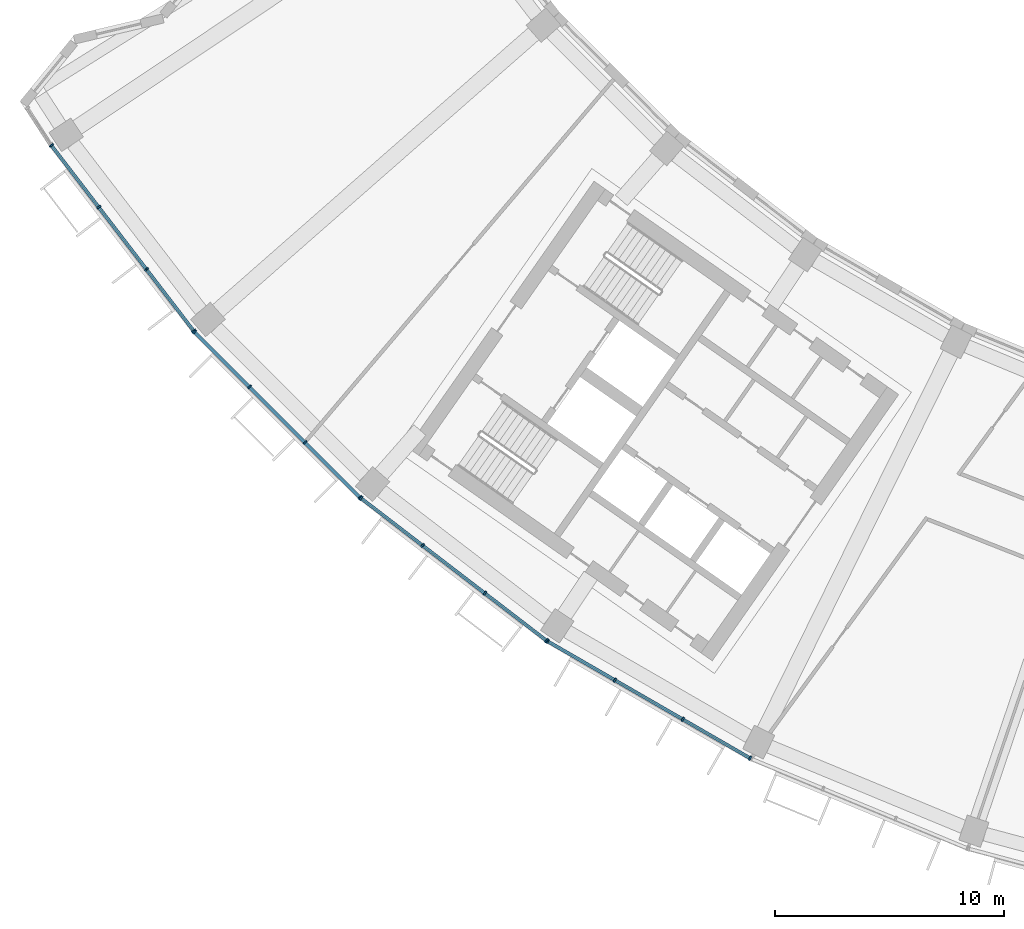
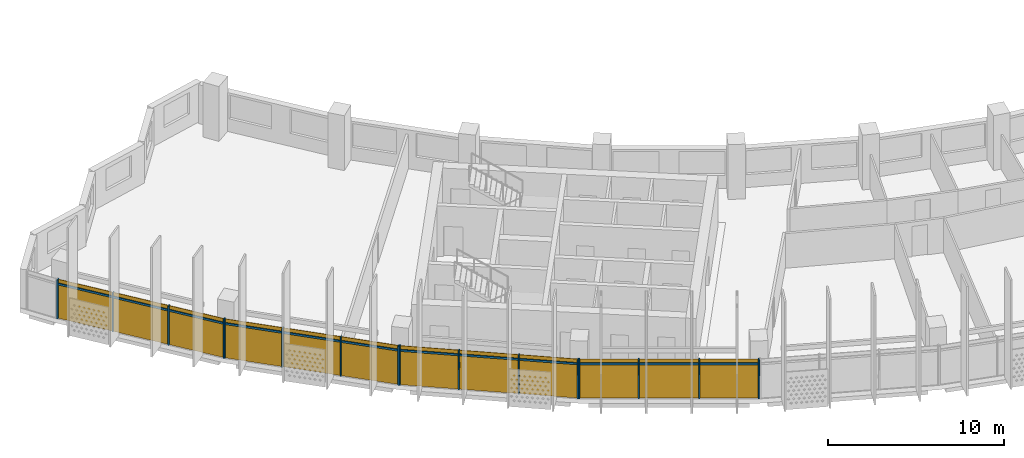
# One storey, part 18 of 28: 28 members, 4 curtain walls.
"""IFC4 building model written with IfcOpenShell, lengths in metres."""

from ifc_helpers import new_model, si_unit, direction, frame, origin, origin_2d, place, context, subcontext, project, spatial, rectangle, extrude, material, material_profile, profile_set, type_object, element, aggregate, save


model = new_model("IFC4")

# Units and contexts
model_context = context("Model", 3, precision=1e-05, world=origin(), true_north=direction((0.0, 1.0)))
body_context = subcontext(model_context, "Body", "Model", "MODEL_VIEW")
ifc_project = project(units=[si_unit("LENGTHUNIT", "METRE"), si_unit("AREAUNIT", "SQUARE_METRE"), si_unit("VOLUMEUNIT", "CUBIC_METRE"), si_unit("PLANEANGLEUNIT", "RADIAN"), si_unit("MASSUNIT", "GRAM", prefix="KILO")], contexts=[model_context])

# Member
ifc_material = material(Name="Aluminium 6063-T6 anodised", Category="aluminium")
ifc_material_profile_1 = material_profile(ifc_material, rectangle(XDim=0.199951171875, YDim=0.070068359375, at=origin_2d()))
ifc_profile_set_1 = profile_set([ifc_material_profile_1], Name="Aluminium 6063-T6 anodised")
member_type_1 = type_object("IfcMemberType", Name="Mullion 70 x 200 aluminium", PredefinedType="MULLION", material=ifc_profile_set_1)
site_placement = place(None, origin())
building_placement = place(site_placement, origin())
storey_placement = place(building_placement, frame((0.0, 0.0, 218.89990234375)))
member_1_placement = place(storey_placement, frame((-65.29443359375, -43.66259765625, 0.0), z_axis=(0.0, 0.0, 1.0), x_axis=(0.793353340291, 0.608761429009, 0.0)))
member_1 = element("IfcMember", 1, at=member_1_placement, type_object=member_type_1, Name="e-cw1-L52-out01/M00", PredefinedType="MULLION", context=body_context, shape_type="SweptSolid", body=[
    extrude(rectangle(XDim=0.199951171875, YDim=0.070068359375, at=origin_2d()), origin(), (0.0, 0.0, 1.0), 2.7001953125),
])

member_2_placement = place(storey_placement, frame((-63.22802734375, -46.35546875, 0.0), z_axis=(0.0, 0.0, 1.0), x_axis=(0.793353340291, 0.608761429009, 0.0)))
member_2 = element("IfcMember", 2, at=member_2_placement, type_object=member_type_1, Name="e-cw1-L52-out01/M01", PredefinedType="MULLION", context=body_context, shape_type="SweptSolid", body=[
    extrude(rectangle(XDim=0.199951171875, YDim=0.070068359375, at=origin_2d()), origin(), (0.0, 0.0, 1.0), 2.7001953125),
])

member_3_placement = place(storey_placement, frame((-61.140380859375, -49.075927734375, 0.0), z_axis=(0.0, 0.0, 1.0), x_axis=(0.793353340291, 0.608761429009, 0.0)))
member_3 = element("IfcMember", 3, at=member_3_placement, type_object=member_type_1, Name="e-cw1-L52-out01/M02", PredefinedType="MULLION", context=body_context, shape_type="SweptSolid", body=[
    extrude(rectangle(XDim=0.199951171875, YDim=0.070068359375, at=origin_2d()), origin(), (0.0, 0.0, 1.0), 2.7001953125),
])

member_4_placement = place(storey_placement, frame((-59.07421875, -51.768798828125, 0.0), z_axis=(0.0, 0.0, 1.0), x_axis=(0.793353340291, 0.608761429009, 0.0)))
member_4 = element("IfcMember", 4, at=member_4_placement, type_object=member_type_1, Name="e-cw1-L52-out01/M03", PredefinedType="MULLION", context=body_context, shape_type="SweptSolid", body=[
    extrude(rectangle(XDim=0.199951171875, YDim=0.070068359375, at=origin_2d()), origin(), (0.0, 0.0, 1.0), 2.7001953125),
])

member_5_placement = place(storey_placement, frame((-59.03662109375, -51.8115234375, 0.0), z_axis=(0.0, 0.0, 1.0), x_axis=(0.707106781187, 0.707106781187, 0.0)))
member_5 = element("IfcMember", 5, at=member_5_placement, type_object=member_type_1, Name="e-cw1-L52-out02/M00", PredefinedType="MULLION", context=body_context, shape_type="SweptSolid", body=[
    extrude(rectangle(XDim=0.199951171875, YDim=0.070068359375, at=origin_2d()), origin(), (0.0, 0.0, 1.0), 2.7001953125),
])

member_6_placement = place(storey_placement, frame((-56.63671875, -54.211669921875, 0.0), z_axis=(0.0, 0.0, 1.0), x_axis=(0.707106781187, 0.707106781187, 0.0)))
member_6 = element("IfcMember", 6, at=member_6_placement, type_object=member_type_1, Name="e-cw1-L52-out02/M01", PredefinedType="MULLION", context=body_context, shape_type="SweptSolid", body=[
    extrude(rectangle(XDim=0.199951171875, YDim=0.070068359375, at=origin_2d()), origin(), (0.0, 0.0, 1.0), 2.7001953125),
])

member_7_placement = place(storey_placement, frame((-54.211669921875, -56.63671875, 0.0), z_axis=(0.0, 0.0, 1.0), x_axis=(0.707106781187, 0.707106781187, 0.0)))
member_7 = element("IfcMember", 7, at=member_7_placement, type_object=member_type_1, Name="e-cw1-L52-out02/M02", PredefinedType="MULLION", context=body_context, shape_type="SweptSolid", body=[
    extrude(rectangle(XDim=0.199951171875, YDim=0.070068359375, at=origin_2d()), origin(), (0.0, 0.0, 1.0), 2.7001953125),
])

member_8_placement = place(storey_placement, frame((-51.8115234375, -59.03662109375, 0.0), z_axis=(0.0, 0.0, 1.0), x_axis=(0.707106781187, 0.707106781187, 0.0)))
member_8 = element("IfcMember", 8, at=member_8_placement, type_object=member_type_1, Name="e-cw1-L52-out02/M03", PredefinedType="MULLION", context=body_context, shape_type="SweptSolid", body=[
    extrude(rectangle(XDim=0.199951171875, YDim=0.070068359375, at=origin_2d()), origin(), (0.0, 0.0, 1.0), 2.7001953125),
])

member_9_placement = place(storey_placement, frame((-51.768798828125, -59.07421875, 0.0), z_axis=(0.0, 0.0, 1.0), x_axis=(0.608761429009, 0.793353340291, 0.0)))
member_9 = element("IfcMember", 9, at=member_9_placement, type_object=member_type_1, Name="e-cw1-L52-out03/M00", PredefinedType="MULLION", context=body_context, shape_type="SweptSolid", body=[
    extrude(rectangle(XDim=0.199951171875, YDim=0.070068359375, at=origin_2d()), origin(), (0.0, 0.0, 1.0), 2.7001953125),
])

member_10_placement = place(storey_placement, frame((-49.075927734375, -61.140380859375, 0.0), z_axis=(0.0, 0.0, 1.0), x_axis=(0.608761429009, 0.793353340291, 0.0)))
member_10 = element("IfcMember", 10, at=member_10_placement, type_object=member_type_1, Name="e-cw1-L52-out03/M01", PredefinedType="MULLION", context=body_context, shape_type="SweptSolid", body=[
    extrude(rectangle(XDim=0.199951171875, YDim=0.070068359375, at=origin_2d()), origin(), (0.0, 0.0, 1.0), 2.7001953125),
])

member_11_placement = place(storey_placement, frame((-46.35546875, -63.22802734375, 0.0), z_axis=(0.0, 0.0, 1.0), x_axis=(0.608761429009, 0.793353340291, 0.0)))
member_11 = element("IfcMember", 11, at=member_11_placement, type_object=member_type_1, Name="e-cw1-L52-out03/M02", PredefinedType="MULLION", context=body_context, shape_type="SweptSolid", body=[
    extrude(rectangle(XDim=0.199951171875, YDim=0.070068359375, at=origin_2d()), origin(), (0.0, 0.0, 1.0), 2.7001953125),
])

member_12_placement = place(storey_placement, frame((-43.66259765625, -65.29443359375, 0.0), z_axis=(0.0, 0.0, 1.0), x_axis=(0.608761429009, 0.793353340291, 0.0)))
member_12 = element("IfcMember", 12, at=member_12_placement, type_object=member_type_1, Name="e-cw1-L52-out03/M03", PredefinedType="MULLION", context=body_context, shape_type="SweptSolid", body=[
    extrude(rectangle(XDim=0.199951171875, YDim=0.070068359375, at=origin_2d()), origin(), (0.0, 0.0, 1.0), 2.7001953125),
])

member_13_placement = place(storey_placement, frame((-43.615234375, -65.325927734375, 0.0), z_axis=(0.0, 0.0, 1.0), x_axis=(0.5, 0.866025403784, 0.0)))
member_13 = element("IfcMember", 13, at=member_13_placement, type_object=member_type_1, Name="e-cw1-L52-out04/M00", PredefinedType="MULLION", context=body_context, shape_type="SweptSolid", body=[
    extrude(rectangle(XDim=0.199951171875, YDim=0.070068359375, at=origin_2d()), origin(), (0.0, 0.0, 1.0), 2.7001953125),
])

member_14_placement = place(storey_placement, frame((-40.67578125, -67.023193359375, 0.0), z_axis=(0.0, 0.0, 1.0), x_axis=(0.5, 0.866025403784, 0.0)))
member_14 = element("IfcMember", 14, at=member_14_placement, type_object=member_type_1, Name="e-cw1-L52-out04/M01", PredefinedType="MULLION", context=body_context, shape_type="SweptSolid", body=[
    extrude(rectangle(XDim=0.199951171875, YDim=0.070068359375, at=origin_2d()), origin(), (0.0, 0.0, 1.0), 2.7001953125),
])

member_15_placement = place(storey_placement, frame((-37.705810546875, -68.73779296875, 0.0), z_axis=(0.0, 0.0, 1.0), x_axis=(0.5, 0.866025403784, 0.0)))
member_15 = element("IfcMember", 15, at=member_15_placement, type_object=member_type_1, Name="e-cw1-L52-out04/M02", PredefinedType="MULLION", context=body_context, shape_type="SweptSolid", body=[
    extrude(rectangle(XDim=0.199951171875, YDim=0.070068359375, at=origin_2d()), origin(), (0.0, 0.0, 1.0), 2.7001953125),
])

member_16_placement = place(storey_placement, frame((-34.766357421875, -70.43505859375, 0.0), z_axis=(0.0, 0.0, 1.0), x_axis=(0.5, 0.866025403784, 0.0)))
member_16 = element("IfcMember", 16, at=member_16_placement, type_object=member_type_1, Name="e-cw1-L52-out04/M03", PredefinedType="MULLION", context=body_context, shape_type="SweptSolid", body=[
    extrude(rectangle(XDim=0.199951171875, YDim=0.070068359375, at=origin_2d()), origin(), (0.0, 0.0, 1.0), 2.7001953125),
])

ifc_material_profile_2 = material_profile(ifc_material, rectangle(XDim=0.139892578125, YDim=0.1201171875, at=origin_2d()))
ifc_profile_set_2 = profile_set([ifc_material_profile_2], Name="Aluminium 6063-T6 anodised")
member_type_2 = type_object("IfcMemberType", Name="Transom 120 x 140 aluminium", PredefinedType="USERDEFINED", material=ifc_profile_set_2)
member_17_placement = place(storey_placement, frame((-65.273193359375, -43.690185546875, 2.400146484375), z_axis=(0.608741393132, -0.793368713958, 0.0), x_axis=(0.793368713958, 0.608741393132, 0.0)))
member_17 = element("IfcMember", 17, at=member_17_placement, type_object=member_type_2, Name="e-cw1-L52-out01/T00", ObjectType="TRANSOM", PredefinedType="USERDEFINED", context=body_context, shape_type="SweptSolid", body=[
    extrude(rectangle(XDim=0.139892578125, YDim=0.1201171875, at=origin_2d()), origin(), (0.0, 0.0, 1.0), 3.324462890625),
])

member_18_placement = place(storey_placement, frame((-63.206787109375, -46.383056640625, 2.400146484375), z_axis=(0.608719861247, -0.793385234627, 0.0), x_axis=(0.793385234627, 0.608719861247, 0.0)))
member_18 = element("IfcMember", 18, at=member_18_placement, type_object=member_type_2, Name="e-cw1-L52-out01/T01", ObjectType="TRANSOM", PredefinedType="USERDEFINED", context=body_context, shape_type="SweptSolid", body=[
    extrude(rectangle(XDim=0.139892578125, YDim=0.1201171875, at=origin_2d()), origin(), (0.0, 0.0, 1.0), 3.359375),
])

member_19_placement = place(storey_placement, frame((-61.119140625, -49.103759765625, 2.400146484375), z_axis=(0.608741393132, -0.793368713958, 0.0), x_axis=(0.793368713958, 0.608741393132, 0.0)))
member_19 = element("IfcMember", 19, at=member_19_placement, type_object=member_type_2, Name="e-cw1-L52-out01/T02", ObjectType="TRANSOM", PredefinedType="USERDEFINED", context=body_context, shape_type="SweptSolid", body=[
    extrude(rectangle(XDim=0.139892578125, YDim=0.1201171875, at=origin_2d()), origin(), (0.0, 0.0, 1.0), 3.324462890625),
])

member_20_placement = place(storey_placement, frame((-59.011962890625, -51.83642578125, 2.400146484375), z_axis=(0.707106781187, -0.707106781187, 0.0), x_axis=(0.707106781187, 0.707106781187, 0.0)))
member_20 = element("IfcMember", 20, at=member_20_placement, type_object=member_type_2, Name="e-cw1-L52-out02/T00", ObjectType="TRANSOM", PredefinedType="USERDEFINED", context=body_context, shape_type="SweptSolid", body=[
    extrude(rectangle(XDim=0.139892578125, YDim=0.1201171875, at=origin_2d()), origin(), (0.0, 0.0, 1.0), 3.32421875),
])

member_21_placement = place(storey_placement, frame((-56.61181640625, -54.236572265625, 2.400146484375), z_axis=(0.707106781187, -0.707106781187, 0.0), x_axis=(0.707106781187, 0.707106781187, 0.0)))
member_21 = element("IfcMember", 21, at=member_21_placement, type_object=member_type_2, Name="e-cw1-L52-out02/T01", ObjectType="TRANSOM", PredefinedType="USERDEFINED", context=body_context, shape_type="SweptSolid", body=[
    extrude(rectangle(XDim=0.139892578125, YDim=0.1201171875, at=origin_2d()), origin(), (0.0, 0.0, 1.0), 3.359130859375),
])

member_22_placement = place(storey_placement, frame((-54.18701171875, -56.661376953125, 2.400146484375), z_axis=(0.707106781187, -0.707106781187, 0.0), x_axis=(0.707106781187, 0.707106781187, 0.0)))
member_22 = element("IfcMember", 22, at=member_22_placement, type_object=member_type_2, Name="e-cw1-L52-out02/T02", ObjectType="TRANSOM", PredefinedType="USERDEFINED", context=body_context, shape_type="SweptSolid", body=[
    extrude(rectangle(XDim=0.139892578125, YDim=0.1201171875, at=origin_2d()), origin(), (0.0, 0.0, 1.0), 3.32421875),
])

member_23_placement = place(storey_placement, frame((-51.7412109375, -59.095458984375, 2.400146484375), z_axis=(0.793368713958, -0.608741393132, 0.0), x_axis=(0.608741393132, 0.793368713958, 0.0)))
member_23 = element("IfcMember", 23, at=member_23_placement, type_object=member_type_2, Name="e-cw1-L52-out03/T00", ObjectType="TRANSOM", PredefinedType="USERDEFINED", context=body_context, shape_type="SweptSolid", body=[
    extrude(rectangle(XDim=0.139892578125, YDim=0.1201171875, at=origin_2d()), origin(), (0.0, 0.0, 1.0), 3.324462890625),
])

member_24_placement = place(storey_placement, frame((-49.04833984375, -61.161865234375, 2.400146484375), z_axis=(0.793385234627, -0.608719861247, 0.0), x_axis=(0.608719861247, 0.793385234627, 0.0)))
member_24 = element("IfcMember", 24, at=member_24_placement, type_object=member_type_2, Name="e-cw1-L52-out03/T01", ObjectType="TRANSOM", PredefinedType="USERDEFINED", context=body_context, shape_type="SweptSolid", body=[
    extrude(rectangle(XDim=0.139892578125, YDim=0.1201171875, at=origin_2d()), origin(), (0.0, 0.0, 1.0), 3.359375),
])

member_25_placement = place(storey_placement, frame((-46.32763671875, -63.24951171875, 2.400146484375), z_axis=(0.793368713958, -0.608741393132, 0.0), x_axis=(0.608741393132, 0.793368713958, 0.0)))
member_25 = element("IfcMember", 25, at=member_25_placement, type_object=member_type_2, Name="e-cw1-L52-out03/T02", ObjectType="TRANSOM", PredefinedType="USERDEFINED", context=body_context, shape_type="SweptSolid", body=[
    extrude(rectangle(XDim=0.139892578125, YDim=0.1201171875, at=origin_2d()), origin(), (0.0, 0.0, 1.0), 3.324462890625),
])

member_26_placement = place(storey_placement, frame((-43.5849609375, -65.343505859375, 2.400146484375), z_axis=(0.866029041019, -0.499993700073, 0.0), x_axis=(0.499993700073, 0.866029041019, 0.0)))
member_26 = element("IfcMember", 26, at=member_26_placement, type_object=member_type_2, Name="e-cw1-L52-out04/T00", ObjectType="TRANSOM", PredefinedType="USERDEFINED", context=body_context, shape_type="SweptSolid", body=[
    extrude(rectangle(XDim=0.139892578125, YDim=0.1201171875, at=origin_2d()), origin(), (0.0, 0.0, 1.0), 3.32421875),
])

member_27_placement = place(storey_placement, frame((-40.6455078125, -67.04052734375, 2.400146484375), z_axis=(0.866034314054, -0.499984566643, 0.0), x_axis=(0.499984566643, 0.866034314054, 0.0)))
member_27 = element("IfcMember", 27, at=member_27_placement, type_object=member_type_2, Name="e-cw1-L52-out04/T01", ObjectType="TRANSOM", PredefinedType="USERDEFINED", context=body_context, shape_type="SweptSolid", body=[
    extrude(rectangle(XDim=0.139892578125, YDim=0.1201171875, at=origin_2d()), origin(), (0.0, 0.0, 1.0), 3.359375),
])

member_28_placement = place(storey_placement, frame((-37.675537109375, -68.75537109375, 2.400146484375), z_axis=(0.866029041019, -0.499993700073, 0.0), x_axis=(0.499993700073, 0.866029041019, 0.0)))
member_28 = element("IfcMember", 28, at=member_28_placement, type_object=member_type_2, Name="e-cw1-L52-out04/T02", ObjectType="TRANSOM", PredefinedType="USERDEFINED", context=body_context, shape_type="SweptSolid", body=[
    extrude(rectangle(XDim=0.139892578125, YDim=0.1201171875, at=origin_2d()), origin(), (0.0, 0.0, 1.0), 3.32421875),
])

# Site, building, storey
site = spatial("IfcSite", under=ifc_project, at=site_placement, CompositionType="ELEMENT")
building = spatial("IfcBuilding", under=site, at=building_placement, Name="Qamariyya Broadcast Tower", CompositionType="ELEMENT")
storey = spatial("IfcBuildingStorey", under=building, at=storey_placement, Name="L52", CompositionType="ELEMENT", Elevation=218.89990234375)

# Curtain wall
curtain_wall_type = type_object("IfcCurtainWallType", Name="Unitised curtain wall, anodised aluminium", PredefinedType="NOTDEFINED", material=ifc_material)
curtain_wall_1_placement = place(storey_placement, origin())
curtain_wall_1 = element("IfcCurtainWall", 29, at=curtain_wall_1_placement, inside=storey, type_object=curtain_wall_type, Name="e-cw1-L52-out01", PredefinedType="NOTDEFINED", context=body_context, shape_type="SweptSolid", body=[
    extrude(rectangle(XDim=3.32421875, YDim=0.031982421875, at=origin_2d()), frame((-64.26123046875, -45.009033203125, 0.0), x_axis=(0.608753833159, -0.793359168734, 0.0)), (0.0, 0.0, 1.0), 2.340087890625),
    extrude(rectangle(XDim=3.32421875, YDim=0.031982421875, at=origin_2d()), frame((-64.26123046875, -45.009033203125, 2.460205078125), x_axis=(0.608753833159, -0.793359168734, 0.0)), (0.0, 0.0, 1.0), 0.239990234375),
    extrude(rectangle(XDim=3.359130859375, YDim=0.031982421875, at=origin_2d()), frame((-62.184326171875, -47.7158203125, 0.0), x_axis=(0.608753833159, -0.793359168734, 0.0)), (0.0, 0.0, 1.0), 2.340087890625),
    extrude(rectangle(XDim=3.359130859375, YDim=0.031982421875, at=origin_2d()), frame((-62.184326171875, -47.7158203125, 2.460205078125), x_axis=(0.608753833159, -0.793359168734, 0.0)), (0.0, 0.0, 1.0), 0.239990234375),
    extrude(rectangle(XDim=3.32421875, YDim=0.031982421875, at=origin_2d()), frame((-60.107421875, -50.42236328125, 0.0), x_axis=(0.608753833159, -0.793359168734, 0.0)), (0.0, 0.0, 1.0), 2.340087890625),
    extrude(rectangle(XDim=3.32421875, YDim=0.031982421875, at=origin_2d()), frame((-60.107421875, -50.42236328125, 2.460205078125), x_axis=(0.608753833159, -0.793359168734, 0.0)), (0.0, 0.0, 1.0), 0.239990234375),
])

aggregate(curtain_wall_1, [member_1, member_2, member_3, member_4, member_17, member_18, member_19])

curtain_wall_2_placement = place(storey_placement, origin())
curtain_wall_2 = element("IfcCurtainWall", 30, at=curtain_wall_2_placement, inside=storey, type_object=curtain_wall_type, Name="e-cw1-L52-out02", PredefinedType="NOTDEFINED", context=body_context, shape_type="SweptSolid", body=[
    extrude(rectangle(XDim=3.32421875, YDim=0.031982421875, at=origin_2d()), frame((-57.836669921875, -53.01171875, 0.0), x_axis=(0.707106781187, -0.707106781187, 0.0)), (0.0, 0.0, 1.0), 2.340087890625),
    extrude(rectangle(XDim=3.32421875, YDim=0.031982421875, at=origin_2d()), frame((-57.836669921875, -53.01171875, 2.460205078125), x_axis=(0.707106781187, -0.707106781187, 0.0)), (0.0, 0.0, 1.0), 0.239990234375),
    extrude(rectangle(XDim=3.359375, YDim=0.031982421875, at=origin_2d()), frame((-55.42431640625, -55.42431640625, 0.0), x_axis=(0.707106781187, -0.707106781187, 0.0)), (0.0, 0.0, 1.0), 2.340087890625),
    extrude(rectangle(XDim=3.359375, YDim=0.031982421875, at=origin_2d()), frame((-55.42431640625, -55.42431640625, 2.460205078125), x_axis=(0.707106781187, -0.707106781187, 0.0)), (0.0, 0.0, 1.0), 0.239990234375),
    extrude(rectangle(XDim=3.32421875, YDim=0.031982421875, at=origin_2d()), frame((-53.01171875, -57.836669921875, 0.0), x_axis=(0.707106781187, -0.707106781187, 0.0)), (0.0, 0.0, 1.0), 2.340087890625),
    extrude(rectangle(XDim=3.32421875, YDim=0.031982421875, at=origin_2d()), frame((-53.01171875, -57.836669921875, 2.460205078125), x_axis=(0.707106781187, -0.707106781187, 0.0)), (0.0, 0.0, 1.0), 0.239990234375),
])

aggregate(curtain_wall_2, [member_5, member_6, member_7, member_8, member_20, member_21, member_22])

curtain_wall_3_placement = place(storey_placement, origin())
curtain_wall_3 = element("IfcCurtainWall", 31, at=curtain_wall_3_placement, inside=storey, type_object=curtain_wall_type, Name="e-cw1-L52-out03", PredefinedType="NOTDEFINED", context=body_context, shape_type="SweptSolid", body=[
    extrude(rectangle(XDim=3.32421875, YDim=0.031982421875, at=origin_2d()), frame((-50.42236328125, -60.107421875, 0.0), x_axis=(0.793359168734, -0.608753833159, 0.0)), (0.0, 0.0, 1.0), 2.340087890625),
    extrude(rectangle(XDim=3.32421875, YDim=0.031982421875, at=origin_2d()), frame((-50.42236328125, -60.107421875, 2.460205078125), x_axis=(0.793359168734, -0.608753833159, 0.0)), (0.0, 0.0, 1.0), 0.239990234375),
    extrude(rectangle(XDim=3.359130859375, YDim=0.031982421875, at=origin_2d()), frame((-47.7158203125, -62.184326171875, 0.0), x_axis=(0.793359168734, -0.608753833159, 0.0)), (0.0, 0.0, 1.0), 2.340087890625),
    extrude(rectangle(XDim=3.359130859375, YDim=0.031982421875, at=origin_2d()), frame((-47.7158203125, -62.184326171875, 2.460205078125), x_axis=(0.793359168734, -0.608753833159, 0.0)), (0.0, 0.0, 1.0), 0.239990234375),
    extrude(rectangle(XDim=3.32421875, YDim=0.031982421875, at=origin_2d()), frame((-45.009033203125, -64.26123046875, 0.0), x_axis=(0.793359168734, -0.608753833159, 0.0)), (0.0, 0.0, 1.0), 2.340087890625),
    extrude(rectangle(XDim=3.32421875, YDim=0.031982421875, at=origin_2d()), frame((-45.009033203125, -64.26123046875, 2.460205078125), x_axis=(0.793359168734, -0.608753833159, 0.0)), (0.0, 0.0, 1.0), 0.239990234375),
])

aggregate(curtain_wall_3, [member_9, member_10, member_11, member_12, member_23, member_24, member_25])

curtain_wall_4_placement = place(storey_placement, origin())
curtain_wall_4 = element("IfcCurtainWall", 32, at=curtain_wall_4_placement, inside=storey, type_object=curtain_wall_type, Name="e-cw1-L52-out04", PredefinedType="NOTDEFINED", context=body_context, shape_type="SweptSolid", body=[
    extrude(rectangle(XDim=3.32421875, YDim=0.031982421875, at=origin_2d()), frame((-42.1455078125, -66.174560546875, 0.0), x_axis=(0.866027904674, -0.499995668308, 0.0)), (0.0, 0.0, 1.0), 2.340087890625),
    extrude(rectangle(XDim=3.32421875, YDim=0.031982421875, at=origin_2d()), frame((-42.1455078125, -66.174560546875, 2.460205078125), x_axis=(0.866027904674, -0.499995668308, 0.0)), (0.0, 0.0, 1.0), 0.239990234375),
    extrude(rectangle(XDim=3.359130859375, YDim=0.031982421875, at=origin_2d()), frame((-39.19091796875, -67.88037109375, 0.0), x_axis=(0.866027904674, -0.499995668308, 0.0)), (0.0, 0.0, 1.0), 2.340087890625),
    extrude(rectangle(XDim=3.359130859375, YDim=0.031982421875, at=origin_2d()), frame((-39.19091796875, -67.88037109375, 2.460205078125), x_axis=(0.866027904674, -0.499995668308, 0.0)), (0.0, 0.0, 1.0), 0.239990234375),
    extrude(rectangle(XDim=3.32421875, YDim=0.031982421875, at=origin_2d()), frame((-36.236083984375, -69.58642578125, 0.0), x_axis=(0.866027904674, -0.499995668308, 0.0)), (0.0, 0.0, 1.0), 2.340087890625),
    extrude(rectangle(XDim=3.32421875, YDim=0.031982421875, at=origin_2d()), frame((-36.236083984375, -69.58642578125, 2.460205078125), x_axis=(0.866027904674, -0.499995668308, 0.0)), (0.0, 0.0, 1.0), 0.239990234375),
])

aggregate(curtain_wall_4, [member_13, member_14, member_15, member_16, member_26, member_27, member_28])

save(model, "model.ifc")
